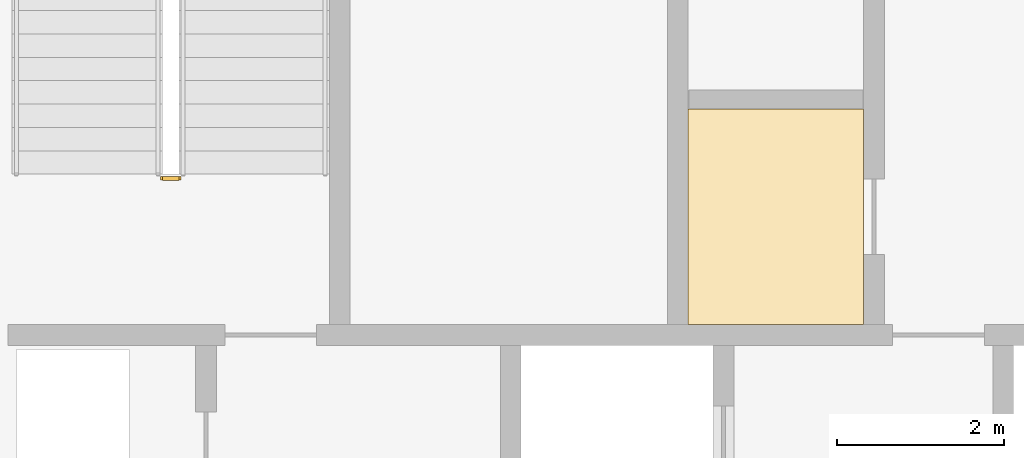
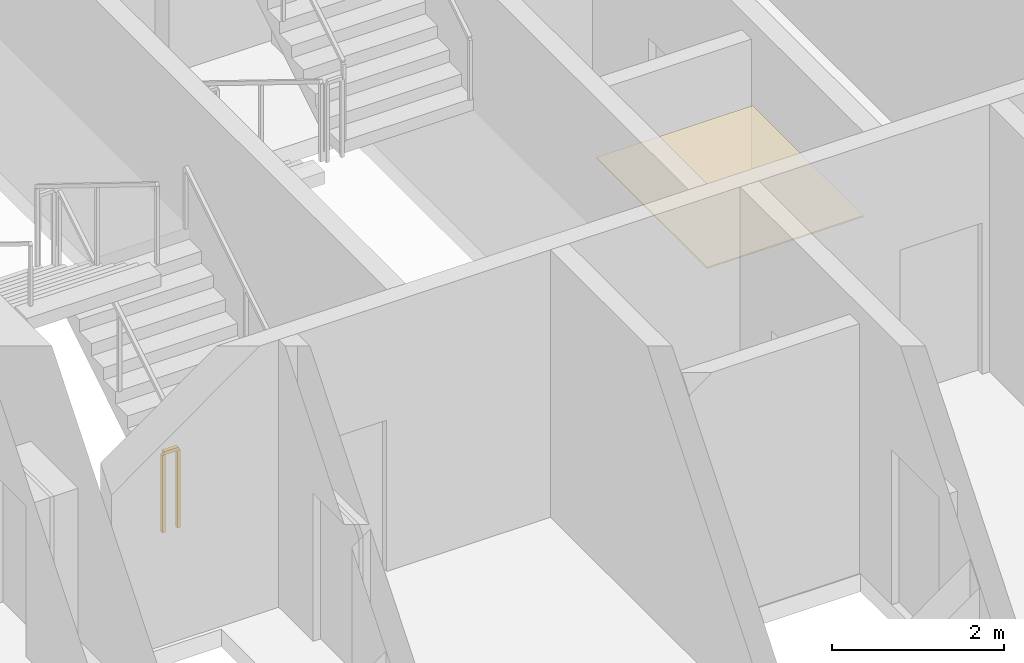
# One storey, part 30 of 33: 1 covering, 1 railing.
"""IFC4 building model written with IfcOpenShell, lengths in metres."""

import ifcopenshell
import ifcopenshell.guid

model = None  # the IFC model being written
_history = None  # IfcOwnerHistory: only IFC2X3 demands one
_inside = {}  # id of a spatial element -> (the spatial element, [elements in it])
_under = {}  # id of a project, library or spatial element -> (it, [spatial elements below it])
_declared = {}  # id of a project -> (the project, [libraries it declares])
_typed = {}  # id of a type object -> (the type object, [elements of that type])
_made_of = {}  # id of a material, layer set ... -> (it, [elements and type objects made of it])


def new_model(schema):
    """Start an empty IFC model of exactly this schema.

    Asked for "IFC4X3", IfcOpenShell would pick the latest addendum, in which some entities
    have other attributes; the version numbers below select the first issue.
    IFC2X3 requires an IfcOwnerHistory on every rooted entity: one is made here for all.
    """
    global model, _history
    if schema == "IFC4X3":
        model = ifcopenshell.file(schema_version=(4, 3, 0, 0))
    else:
        model = ifcopenshell.file(schema=schema)
    _inside.clear()
    _under.clear()
    _declared.clear()
    _typed.clear()
    _made_of.clear()
    _history = None
    if model.schema == "IFC2X3":
        org = make("IfcOrganization", Name="unknown")
        user = make(
            "IfcPersonAndOrganization",
            ThePerson=make("IfcPerson", FamilyName="unknown"),
            TheOrganization=org,
        )
        app = make(
            "IfcApplication",
            ApplicationDeveloper=org,
            Version="unknown",
            ApplicationFullName="unknown",
            ApplicationIdentifier="unknown",
        )
        _history = make(
            "IfcOwnerHistory",
            OwningUser=user,
            OwningApplication=app,
            ChangeAction="ADDED",
            CreationDate=0,
        )
    return model


def make(cls, **values):
    """One entity of the class cls with the attributes given. An attribute that is None is left unset."""
    return model.create_entity(
        cls, **{name: value for name, value in values.items() if value is not None}
    )


def rooted(cls, **values):
    """An entity with a GlobalId (a new one), such as an element, a storey or a relation."""
    return make(cls, GlobalId=ifcopenshell.guid.new(), OwnerHistory=_history, **values)


def si_unit(unit_type, name, prefix=None):
    """IfcSIUnit, for example si_unit("LENGTHUNIT", "METRE", prefix="MILLI")."""
    return make("IfcSIUnit", UnitType=unit_type, Prefix=prefix, Name=name)


def assignment(units):
    """IfcUnitAssignment: the units of a project."""
    return None if units is None else make("IfcUnitAssignment", Units=units)


def point(xyz):
    """IfcCartesianPoint."""
    return None if xyz is None else make("IfcCartesianPoint", Coordinates=xyz)


def direction(xyz):
    """IfcDirection."""
    return None if xyz is None else make("IfcDirection", DirectionRatios=xyz)


def frame(location, z_axis=None, x_axis=None):
    """IfcAxis2Placement3D, a coordinate frame: its origin and axes. An axis left out is left unset."""
    return make(
        "IfcAxis2Placement3D",
        Location=point(location),
        Axis=direction(z_axis),
        RefDirection=direction(x_axis),
    )


def frame_2d(location, x_axis=None):
    """IfcAxis2Placement2D, a coordinate frame in the plane: its origin and x axis."""
    return make(
        "IfcAxis2Placement2D", Location=point(location), RefDirection=direction(x_axis)
    )


def origin():
    """The frame at (0, 0, 0) with its axes left unset."""
    return frame((0.0, 0.0, 0.0))


def origin_2d():
    """The frame at (0, 0) in the plane with its x axis left unset."""
    return frame_2d((0.0, 0.0))


def place(relative_to, where):
    """IfcLocalPlacement: puts the frame where relative to a parent placement (None: the world)."""
    return make(
        "IfcLocalPlacement", PlacementRelTo=relative_to, RelativePlacement=where
    )


def context(
    kind, dimensions, precision=None, world=None, true_north=None, identifier=None
):
    """IfcGeometricRepresentationContext, for example the 3D "Model" context."""
    return make(
        "IfcGeometricRepresentationContext",
        ContextIdentifier=identifier,
        ContextType=kind,
        CoordinateSpaceDimension=dimensions,
        Precision=precision,
        WorldCoordinateSystem=world,
        TrueNorth=true_north,
    )


def subcontext(parent, identifier, kind, view, scale=None):
    """IfcGeometricRepresentationSubContext, for example "Body" below "Model"."""
    return make(
        "IfcGeometricRepresentationSubContext",
        ContextIdentifier=identifier,
        ContextType=kind,
        ParentContext=parent,
        TargetScale=scale,
        TargetView=view,
    )


def project(units=None, contexts=None):
    """IfcProject with its units and contexts."""
    return rooted(
        "IfcProject",
        Name="project",
        RepresentationContexts=contexts,
        UnitsInContext=assignment(units),
    )


def spatial(cls, under=None, at=None, **own):
    """A site, building, storey or space (cls), placed at a placement, below another one or the project."""
    s = rooted(cls, ObjectPlacement=at, **own)
    if under is not None:
        _under.setdefault(under.id(), (under, []))[1].append(s)
    return s


def polyline(points):
    """IfcPolyline through the points."""
    return make("IfcPolyline", Points=[point(p) for p in points])


def profile(cls, at=None, kind="AREA", **sizes):
    """A parametric profile (cls). Its sizes go by their IFC names, for example OverallWidth=200.0."""
    return make(cls, ProfileType=kind, Position=at, **sizes)


def rectangle(**sizes):
    """IfcRectangleProfileDef."""
    return profile("IfcRectangleProfileDef", **sizes)


def outline(outer, holes=None, kind="AREA"):
    """IfcArbitraryClosedProfileDef: a profile drawn as a closed curve; with holes, ...WithVoids."""
    if holes is None:
        return make("IfcArbitraryClosedProfileDef", ProfileType=kind, OuterCurve=outer)
    return make(
        "IfcArbitraryProfileDefWithVoids",
        ProfileType=kind,
        OuterCurve=outer,
        InnerCurves=holes,
    )


def extrude(swept, where, along, depth):
    """IfcExtrudedAreaSolid: the profile swept, set in the frame where, extruded along a direction by depth."""
    return make(
        "IfcExtrudedAreaSolid",
        SweptArea=swept,
        Position=where,
        ExtrudedDirection=direction(along),
        Depth=depth,
    )


def shape(context_of_items, identifier, shape_type, items):
    """IfcShapeRepresentation: the items that make up one representation, for example the "Body"."""
    return make(
        "IfcShapeRepresentation",
        ContextOfItems=context_of_items,
        RepresentationIdentifier=identifier,
        RepresentationType=shape_type,
        Items=items,
    )


def material(Name=None, Category=None):
    """IfcMaterial."""
    return make("IfcMaterial", Name=Name, Category=Category)


def layer(
    of_material, thickness, ventilated=None, Name=None, Category=None, Priority=None
):
    """IfcMaterialLayer: one layer of a wall or slab, of a material (None: an air gap)."""
    return make(
        "IfcMaterialLayer",
        Material=of_material,
        LayerThickness=thickness,
        IsVentilated=ventilated,
        Name=Name,
        Category=Category,
        Priority=Priority,
    )


def layer_set(layers, Name=None):
    """IfcMaterialLayerSet."""
    return make("IfcMaterialLayerSet", MaterialLayers=layers, LayerSetName=Name)


def made_of(thing, what):
    """Note that an element or type object is made of a material, layer set ...; save() writes the relation."""
    if what is not None:
        _made_of.setdefault(what.id(), (what, []))[1].append(thing)
    return thing


def type_object(cls, material=None, **own):
    """A type object (cls), such as IfcWallType, which elements share."""
    return made_of(rooted(cls, **own), material)


def element(
    cls,
    number,
    at=None,
    inside=None,
    cuts=None,
    type_object=None,
    material=None,
    context=None,
    identifier="Body",
    shape_type=None,
    held_by="IfcProductDefinitionShape",
    body=None,
    shapes=None,
    **own,
):
    """One element of the class cls, such as IfcWall. Its Tag is "e" and its number.

    at: its placement. inside: the storey or other place that contains it. cuts: it is an
    opening in that element (IfcRelVoidsElement). A single representation is given by context,
    identifier, shape_type and body (its items); several are given by shapes. held_by: the class
    of the entity that holds the representations. save() writes the other relations.
    """
    e = rooted(cls, Tag="e%d" % number, ObjectPlacement=at, **own)
    if body is not None:
        shapes = [shape(context, identifier, shape_type, body)]
    if shapes is not None:
        e.Representation = make(held_by, Representations=shapes)
    if inside is not None:
        _inside.setdefault(inside.id(), (inside, []))[1].append(e)
    if cuts is not None:
        rooted(
            "IfcRelVoidsElement", RelatingBuildingElement=cuts, RelatedOpeningElement=e
        )
    if type_object is not None:
        _typed.setdefault(type_object.id(), (type_object, []))[1].append(e)
    return made_of(e, material)


def aggregate(whole, parts):
    """IfcRelAggregates: a whole, such as a stair, and the parts it consists of."""
    return rooted("IfcRelAggregates", RelatingObject=whole, RelatedObjects=parts)


def save(model, path):
    """Write the relations noted so far, then the file.

    IfcRelAggregates (storeys below a building ...), IfcRelContainedInSpatialStructure (elements
    in a storey), IfcRelDefinesByType, IfcRelAssociatesMaterial and IfcRelDeclares: one each for
    every whole, place, type object, material and project.
    """
    for whole, parts in _under.values():
        aggregate(whole, parts)
    for where, things in _inside.values():
        rooted(
            "IfcRelContainedInSpatialStructure",
            RelatedElements=things,
            RelatingStructure=where,
        )
    for kind, things in _typed.values():
        rooted("IfcRelDefinesByType", RelatedObjects=things, RelatingType=kind)
    for what, things in _made_of.values():
        rooted("IfcRelAssociatesMaterial", RelatedObjects=things, RelatingMaterial=what)
    for by, libraries in _declared.values():
        rooted("IfcRelDeclares", RelatingContext=by, RelatedDefinitions=libraries)
    model.write(path)


model = new_model("IFC4")

# Units and contexts
model_context = context("Model", 3, precision=1e-05, world=origin(), true_north=direction((0.0, 1.0)))
body_context = subcontext(model_context, "Body", "Model", "MODEL_VIEW")
ifc_project = project(units=[si_unit("LENGTHUNIT", "METRE"), si_unit("AREAUNIT", "SQUARE_METRE"), si_unit("VOLUMEUNIT", "CUBIC_METRE"), si_unit("PLANEANGLEUNIT", "RADIAN"), si_unit("MASSUNIT", "GRAM", prefix="KILO")], contexts=[model_context])

# Site, building, storey
site_placement = place(None, origin())
site = spatial("IfcSite", under=ifc_project, at=site_placement, CompositionType="ELEMENT")
building_placement = place(site_placement, origin())
building = spatial("IfcBuilding", under=site, at=building_placement, Name="Zuhravey Tower", CompositionType="ELEMENT")
storey_placement = place(building_placement, frame((0.0, 0.0, 103.800048828125)))
storey = spatial("IfcBuildingStorey", under=building, at=storey_placement, Name="L25", CompositionType="ELEMENT", Elevation=103.800048828125)

# Covering
ifc_material_1 = material(Name="Moisture-resistant gypsum ceiling board")
ifc_layer = layer(ifc_material_1, 0.02001953125)
ifc_layer_set = layer_set([ifc_layer], Name="Moisture-resistant gypsum ceiling board")
covering_type = type_object("IfcCoveringType", Name="Moisture-Resistant Ceiling", PredefinedType="CEILING", material=ifc_layer_set)
covering_placement = place(storey_placement, frame((0.0, 0.0, 2.58984375)))
element("IfcCovering", 1, at=covering_placement, inside=storey, type_object=covering_type, Name="L25 Wet-Room Ceiling CLG2", PredefinedType="CEILING", context=body_context, shape_type="SweptSolid", body=[
    extrude(outline(polyline([(36.199951171875, 31.39990234375), (36.199951171875, 33.97998046875), (34.10009765625, 33.97998046875), (34.10009765625, 31.39990234375), (36.199951171875, 31.39990234375)])), origin(), (0.0, 0.0, 1.0), 0.02001953125),
])

# Railing
ifc_material_2 = material(Name="Painted tubular steel", Category="steel")
railing_type = type_object("IfcRailingType", Name="Stair Well Guardrail 1150", PredefinedType="GUARDRAIL", material=ifc_material_2)
railing_placement = place(storey_placement, frame((28.0, 33.14990234375, 0.0)))
element("IfcRailing", 2, at=railing_placement, inside=storey, type_object=railing_type, Name="L25 ST1 stair guard 4", PredefinedType="GUARDRAIL", context=body_context, shape_type="SweptSolid", body=[
    extrude(rectangle(XDim=0.048095703125, YDim=0.048095703125, at=origin_2d()), frame((-0.001953125, 0.0, 1.1259765625), z_axis=(-1.0, 0.0, 0.0), x_axis=(0.0, -1.0, 0.0)), (0.0, 0.0, 1.0), 0.196044921875),
    extrude(rectangle(XDim=0.0419921875, YDim=0.0419921875, at=origin_2d()), origin(), (0.0, 0.0, 1.0), 1.099853515625),
    extrude(rectangle(XDim=0.0419921875, YDim=0.0419921875, at=origin_2d()), frame((-0.199951171875, 0.0, 0.0)), (0.0, 0.0, 1.0), 1.099853515625),
])

save(model, "model.ifc")
